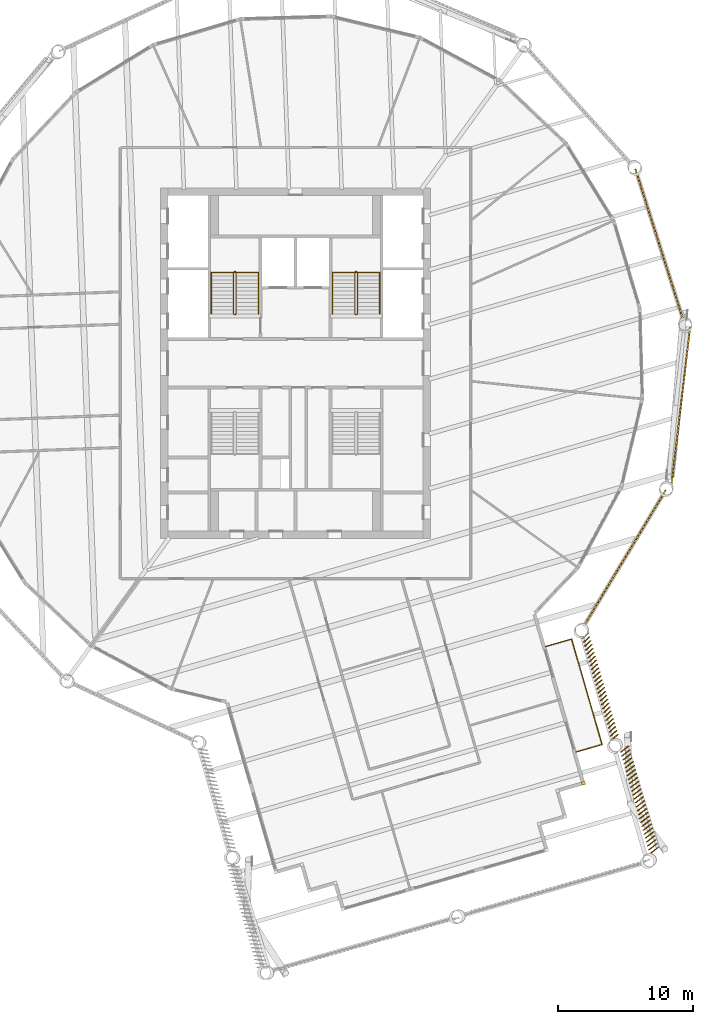
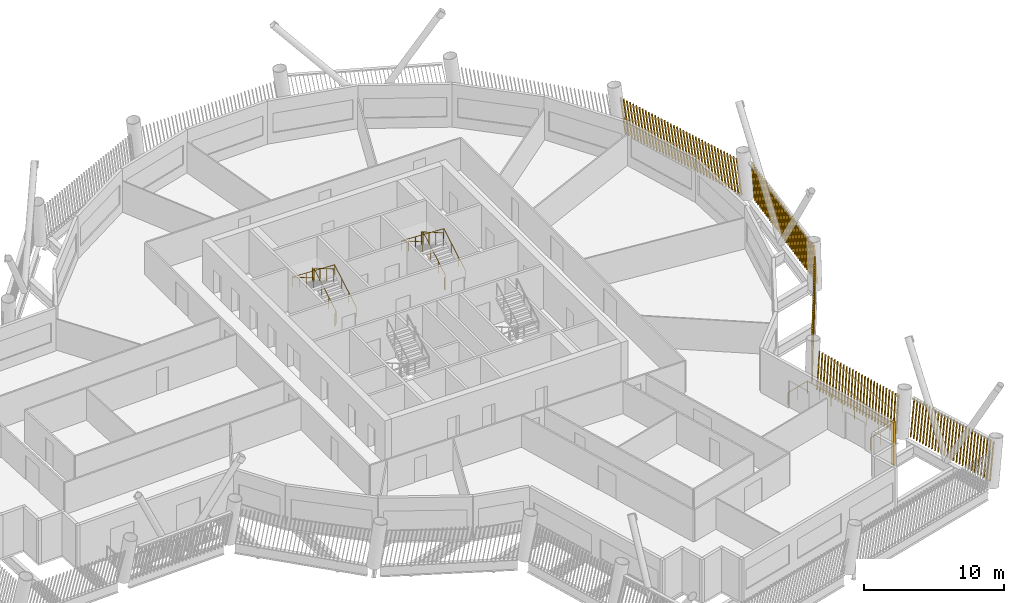
# One storey, part 18 of 20: 6 shading devices, 5 railings.
"""IFC4 building model written with IfcOpenShell, lengths in metres."""

from ifc_helpers import new_model, si_unit, direction, frame, frame_2d, origin, origin_2d, place, context, subcontext, project, spatial, rectangle, circle, composite_profile, extrude, material, type_object, element, save


model = new_model("IFC4")

# Units and contexts
model_context = context("Model", 3, precision=1e-05, world=origin(), true_north=direction((0.0, 1.0)))
body_context = subcontext(model_context, "Body", "Model", "MODEL_VIEW")
ifc_project = project(units=[si_unit("LENGTHUNIT", "METRE"), si_unit("AREAUNIT", "SQUARE_METRE"), si_unit("VOLUMEUNIT", "CUBIC_METRE"), si_unit("PLANEANGLEUNIT", "RADIAN"), si_unit("MASSUNIT", "GRAM", prefix="KILO")], contexts=[model_context])

# Site, building, storey
site_placement = place(None, origin())
site = spatial("IfcSite", under=ifc_project, at=site_placement, CompositionType="ELEMENT")
building_placement = place(site_placement, origin())
building = spatial("IfcBuilding", under=site, at=building_placement, Name="Tarsis Ring Headquarters", CompositionType="ELEMENT")
storey_placement = place(building_placement, frame((0.0, 0.0, 294.199951171875)))
storey = spatial("IfcBuildingStorey", under=building, at=storey_placement, Name="L69", CompositionType="ELEMENT", Elevation=294.199951171875)

# Railings
ifc_material_1 = material(Name="Stainless steel guard", Category="steel")
railing_type_1 = type_object("IfcRailingType", Name="Balcony balustrade with mesh infill 1100", PredefinedType="BALUSTRADE", material=ifc_material_1)
railing_1_placement = place(storey_placement, frame((20.829345703125, -28.85107421875, 0.0)))
element("IfcRailing", 1, at=railing_1_placement, inside=storey, type_object=railing_type_1, Name="Balcony balustrade L69-16", PredefinedType="BALUSTRADE", context=body_context, shape_type="SweptSolid", body=[
    extrude(circle(Radius=0.030029296875, at=origin_2d()), frame((0.0, 0.0, 1.070068359375), z_axis=(0.960667156022, 0.277702386271, 0.0), x_axis=(-0.277702386271, 0.960667156022, 0.0)), (0.0, 0.0, 1.0), 2.0),
    extrude(circle(Radius=0.030029296875, at=origin_2d()), frame((1.92138671875, 0.555419921875, 1.070068359375), z_axis=(-0.277647155779, 0.960683119914, 0.0), x_axis=(-0.960683119914, -0.277647155779, 0.0)), (0.0, 0.0, 1.0), 8.1513671875),
    extrude(circle(Radius=0.030029296875, at=origin_2d()), frame((-0.341796875, 8.38623046875, 1.070068359375), z_axis=(-0.960667156022, -0.277702386271, 0.0), x_axis=(0.277702386271, -0.960667156022, 0.0)), (0.0, 0.0, 1.0), 2.0),
    extrude(circle(Radius=0.02490234375, at=origin_2d()), origin(), (0.0, 0.0, 1.0), 1.0400390625),
    extrude(circle(Radius=0.02490234375, at=origin_2d()), frame((0.960693359375, 0.27783203125, 0.0)), (0.0, 0.0, 1.0), 1.0400390625),
    extrude(circle(Radius=0.02490234375, at=origin_2d()), frame((1.92138671875, 0.555419921875, 0.0)), (0.0, 0.0, 1.0), 1.0400390625),
    extrude(circle(Radius=0.02490234375, at=origin_2d()), frame((1.59814453125, 1.674072265625, 0.0)), (0.0, 0.0, 1.0), 1.0400390625),
    extrude(circle(Radius=0.02490234375, at=origin_2d()), frame((1.274658203125, 2.792724609375, 0.0)), (0.0, 0.0, 1.0), 1.0400390625),
    extrude(circle(Radius=0.02490234375, at=origin_2d()), frame((0.951416015625, 3.911376953125, 0.0)), (0.0, 0.0, 1.0), 1.0400390625),
    extrude(circle(Radius=0.02490234375, at=origin_2d()), frame((0.628173828125, 5.0302734375, 0.0)), (0.0, 0.0, 1.0), 1.0400390625),
    extrude(circle(Radius=0.02490234375, at=origin_2d()), frame((0.304931640625, 6.14892578125, 0.0)), (0.0, 0.0, 1.0), 1.0400390625),
    extrude(circle(Radius=0.02490234375, at=origin_2d()), frame((-0.0185546875, 7.267578125, 0.0)), (0.0, 0.0, 1.0), 1.0400390625),
    extrude(circle(Radius=0.02490234375, at=origin_2d()), frame((-0.341796875, 8.38623046875, 0.0)), (0.0, 0.0, 1.0), 1.0400390625),
    extrude(circle(Radius=0.02490234375, at=origin_2d()), frame((-1.302490234375, 8.1083984375, 0.0)), (0.0, 0.0, 1.0), 1.0400390625),
    extrude(circle(Radius=0.02490234375, at=origin_2d()), frame((-2.26318359375, 7.830810546875, 0.0)), (0.0, 0.0, 1.0), 1.0400390625),
])
ifc_material_2 = material(Name="Steel S355", Category="steel")
railing_type_2 = type_object("IfcRailingType", Name="Core stair guard 1100", PredefinedType="GUARDRAIL", material=ifc_material_2)
railing_2_placement = place(storey_placement, frame((-4.5400390625, 3.610107421875, 0.0)))
element("IfcRailing", 2, at=railing_2_placement, inside=storey, type_object=railing_type_2, Name="L69 ST1 stair guard 1", PredefinedType="GUARDRAIL", context=body_context, shape_type="SweptSolid", body=[
    extrude(circle(Radius=0.02392578125, at=origin_2d()), frame((0.0, 0.0, 1.076171875), z_axis=(1.0, 0.0, 0.0), x_axis=(0.0, 1.0, 0.0)), (0.0, 0.0, 1.0), 0.080078125),
    extrude(circle(Radius=0.02392578125, at=origin_2d()), frame((0.080078125, 0.0, 1.076171875), z_axis=(0.282336740067, 0.280959487676, 0.917250092119), x_axis=(-0.705375805398, 0.708833529934, 0.0)), (0.0, 0.0, 1.0), 0.17724609375),
    extrude(circle(Radius=0.02392578125, at=origin_2d()), frame((0.130126953125, 0.0498046875, 1.23876953125), z_axis=(0.0, 0.864920483161, 0.501908913857), x_axis=(-1.0, 0.0, 0.0)), (0.0, 0.0, 1.0), 3.56103515625),
    extrude(circle(Radius=0.02392578125, at=origin_2d()), frame((0.130126953125, 3.1298828125, 3.02587890625), z_axis=(-0.707106781187, 0.707106781187, 0.0), x_axis=(-0.707106781187, -0.707106781187, 0.0)), (0.0, 0.0, 1.0), 0.07080078125),
    extrude(circle(Radius=0.02392578125, at=origin_2d()), frame((0.080078125, 3.179931640625, 3.02587890625), z_axis=(-1.0, 0.0, 0.0), x_axis=(0.0, -1.0, 0.0)), (0.0, 0.0, 1.0), 0.080078125),
    extrude(circle(Radius=0.02392578125, at=origin_2d()), frame((0.0, 3.179931640625, 3.02587890625), z_axis=(-0.282227285176, -0.282227285176, 0.916894497205), x_axis=(0.707106781187, -0.707106781187, 0.0)), (0.0, 0.0, 1.0), 0.17724609375),
    extrude(circle(Radius=0.02392578125, at=origin_2d()), frame((-0.050048828125, 3.1298828125, 3.1884765625), z_axis=(0.0, -0.864890721111, 0.501960198159), x_axis=(1.0, 0.0, 0.0)), (0.0, 0.0, 1.0), 3.561279296875),
    extrude(circle(Radius=0.02099609375, at=origin_2d()), origin(), (0.0, 0.0, 1.0), 1.052001953125),
    extrude(circle(Radius=0.02099609375, at=origin_2d()), frame((0.080078125, 0.0, 0.0)), (0.0, 0.0, 1.0), 1.052001953125),
    extrude(circle(Radius=0.02099609375, at=origin_2d()), frame((0.130126953125, 0.0498046875, 0.16259765625)), (0.0, 0.0, 1.0), 1.052001953125),
    extrude(circle(Radius=0.02099609375, at=origin_2d()), frame((0.130126953125, 1.076416015625, 0.75830078125)), (0.0, 0.0, 1.0), 1.052001953125),
    extrude(circle(Radius=0.02099609375, at=origin_2d()), frame((0.130126953125, 2.103271484375, 1.354248046875)), (0.0, 0.0, 1.0), 1.052001953125),
    extrude(circle(Radius=0.02099609375, at=origin_2d()), frame((0.130126953125, 3.1298828125, 1.949951171875)), (0.0, 0.0, 1.0), 1.052001953125),
    extrude(circle(Radius=0.02099609375, at=origin_2d()), frame((0.080078125, 3.179931640625, 1.949951171875)), (0.0, 0.0, 1.0), 1.052001953125),
    extrude(circle(Radius=0.02099609375, at=origin_2d()), frame((0.0, 3.179931640625, 1.949951171875)), (0.0, 0.0, 1.0), 1.052001953125),
    extrude(circle(Radius=0.02099609375, at=origin_2d()), frame((-0.050048828125, 3.1298828125, 2.112548828125)), (0.0, 0.0, 1.0), 1.052001953125),
    extrude(circle(Radius=0.02099609375, at=origin_2d()), frame((-0.050048828125, 2.103271484375, 2.70849609375)), (0.0, 0.0, 1.0), 1.052001953125),
    extrude(circle(Radius=0.02099609375, at=origin_2d()), frame((-0.050048828125, 1.076416015625, 3.30419921875)), (0.0, 0.0, 1.0), 1.052001953125),
    extrude(circle(Radius=0.02099609375, at=origin_2d()), frame((-0.050048828125, 0.0498046875, 3.900146484375)), (0.0, 0.0, 1.0), 1.052001953125),
])
railing_3_placement = place(storey_placement, frame((4.4599609375, 3.610107421875, 0.0)))
element("IfcRailing", 3, at=railing_3_placement, inside=storey, type_object=railing_type_2, Name="L69 ST2 stair guard 1", PredefinedType="GUARDRAIL", context=body_context, shape_type="SweptSolid", body=[
    extrude(circle(Radius=0.02392578125, at=origin_2d()), frame((0.0, 0.0, 1.076171875), z_axis=(1.0, 0.0, 0.0), x_axis=(0.0, 1.0, 0.0)), (0.0, 0.0, 1.0), 0.080078125),
    extrude(circle(Radius=0.02392578125, at=origin_2d()), frame((0.080078125, 0.0, 1.076171875), z_axis=(0.282336740067, 0.280959487676, 0.917250092119), x_axis=(-0.705375805398, 0.708833529934, 0.0)), (0.0, 0.0, 1.0), 0.17724609375),
    extrude(circle(Radius=0.02392578125, at=origin_2d()), frame((0.130126953125, 0.0498046875, 1.23876953125), z_axis=(0.0, 0.864920483161, 0.501908913857), x_axis=(-1.0, 0.0, 0.0)), (0.0, 0.0, 1.0), 3.56103515625),
    extrude(circle(Radius=0.02392578125, at=origin_2d()), frame((0.130126953125, 3.1298828125, 3.02587890625), z_axis=(-0.707106781187, 0.707106781187, 0.0), x_axis=(-0.707106781187, -0.707106781187, 0.0)), (0.0, 0.0, 1.0), 0.07080078125),
    extrude(circle(Radius=0.02392578125, at=origin_2d()), frame((0.080078125, 3.179931640625, 3.02587890625), z_axis=(-1.0, 0.0, 0.0), x_axis=(0.0, -1.0, 0.0)), (0.0, 0.0, 1.0), 0.080078125),
    extrude(circle(Radius=0.02392578125, at=origin_2d()), frame((0.0, 3.179931640625, 3.02587890625), z_axis=(-0.282227285176, -0.282227285176, 0.916894497205), x_axis=(0.707106781187, -0.707106781187, 0.0)), (0.0, 0.0, 1.0), 0.17724609375),
    extrude(circle(Radius=0.02392578125, at=origin_2d()), frame((-0.050048828125, 3.1298828125, 3.1884765625), z_axis=(0.0, -0.864890721111, 0.501960198159), x_axis=(1.0, 0.0, 0.0)), (0.0, 0.0, 1.0), 3.561279296875),
    extrude(circle(Radius=0.02099609375, at=origin_2d()), origin(), (0.0, 0.0, 1.0), 1.052001953125),
    extrude(circle(Radius=0.02099609375, at=origin_2d()), frame((0.080078125, 0.0, 0.0)), (0.0, 0.0, 1.0), 1.052001953125),
    extrude(circle(Radius=0.02099609375, at=origin_2d()), frame((0.130126953125, 0.0498046875, 0.16259765625)), (0.0, 0.0, 1.0), 1.052001953125),
    extrude(circle(Radius=0.02099609375, at=origin_2d()), frame((0.130126953125, 1.076416015625, 0.75830078125)), (0.0, 0.0, 1.0), 1.052001953125),
    extrude(circle(Radius=0.02099609375, at=origin_2d()), frame((0.130126953125, 2.103271484375, 1.354248046875)), (0.0, 0.0, 1.0), 1.052001953125),
    extrude(circle(Radius=0.02099609375, at=origin_2d()), frame((0.130126953125, 3.1298828125, 1.949951171875)), (0.0, 0.0, 1.0), 1.052001953125),
    extrude(circle(Radius=0.02099609375, at=origin_2d()), frame((0.080078125, 3.179931640625, 1.949951171875)), (0.0, 0.0, 1.0), 1.052001953125),
    extrude(circle(Radius=0.02099609375, at=origin_2d()), frame((0.0, 3.179931640625, 1.949951171875)), (0.0, 0.0, 1.0), 1.052001953125),
    extrude(circle(Radius=0.02099609375, at=origin_2d()), frame((-0.050048828125, 3.1298828125, 2.112548828125)), (0.0, 0.0, 1.0), 1.052001953125),
    extrude(circle(Radius=0.02099609375, at=origin_2d()), frame((-0.050048828125, 2.103271484375, 2.70849609375)), (0.0, 0.0, 1.0), 1.052001953125),
    extrude(circle(Radius=0.02099609375, at=origin_2d()), frame((-0.050048828125, 1.076416015625, 3.30419921875)), (0.0, 0.0, 1.0), 1.052001953125),
    extrude(circle(Radius=0.02099609375, at=origin_2d()), frame((-0.050048828125, 0.0498046875, 3.900146484375)), (0.0, 0.0, 1.0), 1.052001953125),
])
railing_type_3 = type_object("IfcRailingType", Name="Core stair handrail 900", PredefinedType="HANDRAIL", material=ifc_material_2)
railing_4_placement = place(storey_placement, frame((-2.75, 3.659912109375, 0.16259765625)))
element("IfcRailing", 4, at=railing_4_placement, inside=storey, type_object=railing_type_3, Name="L69 ST1 stair handrail 1", PredefinedType="HANDRAIL", context=body_context, shape_type="SweptSolid", body=[
    extrude(circle(Radius=0.02392578125, at=origin_2d()), frame((0.0, 0.0, 0.8759765625), z_axis=(0.0, 0.864920483161, 0.501908913857), x_axis=(-1.0, 0.0, 0.0)), (0.0, 0.0, 1.0), 3.56103515625),
    extrude(circle(Radius=0.02392578125, at=origin_2d()), frame((0.0, 3.080078125, 2.6630859375), z_axis=(-0.998922641604, 0.0, 0.046406422943), x_axis=(0.0, -1.0, 0.0)), (0.0, 0.0, 1.0), 3.503662109375),
    extrude(circle(Radius=0.02392578125, at=origin_2d()), frame((-3.5, 3.080078125, 2.82568359375), z_axis=(0.0, -0.864890721111, 0.501960198159), x_axis=(1.0, 0.0, 0.0)), (0.0, 0.0, 1.0), 3.561279296875),
    extrude(circle(Radius=0.02099609375, at=origin_2d()), origin(), (0.0, 0.0, 1.0), 0.851806640625),
    extrude(circle(Radius=0.02099609375, at=origin_2d()), frame((0.0, 1.026611328125, 0.595703125)), (0.0, 0.0, 1.0), 0.851806640625),
    extrude(circle(Radius=0.02099609375, at=origin_2d()), frame((0.0, 2.053466796875, 1.191650390625)), (0.0, 0.0, 1.0), 0.851806640625),
    extrude(circle(Radius=0.02099609375, at=origin_2d()), frame((0.0, 3.080078125, 1.787353515625)), (0.0, 0.0, 1.0), 0.851806640625),
    extrude(circle(Radius=0.02099609375, at=origin_2d()), frame((-1.166748046875, 3.080078125, 1.841552734375)), (0.0, 0.0, 1.0), 0.851806640625),
    extrude(circle(Radius=0.02099609375, at=origin_2d()), frame((-2.333251953125, 3.080078125, 1.895751953125)), (0.0, 0.0, 1.0), 0.851806640625),
    extrude(circle(Radius=0.02099609375, at=origin_2d()), frame((-3.5, 3.080078125, 1.949951171875)), (0.0, 0.0, 1.0), 0.851806640625),
    extrude(circle(Radius=0.02099609375, at=origin_2d()), frame((-3.5, 2.053466796875, 2.5458984375)), (0.0, 0.0, 1.0), 0.851806640625),
    extrude(circle(Radius=0.02099609375, at=origin_2d()), frame((-3.5, 1.026611328125, 3.1416015625)), (0.0, 0.0, 1.0), 0.851806640625),
    extrude(circle(Radius=0.02099609375, at=origin_2d()), frame((-3.5, 0.0, 3.737548828125)), (0.0, 0.0, 1.0), 0.851806640625),
])
railing_5_placement = place(storey_placement, frame((6.25, 3.659912109375, 0.16259765625)))
element("IfcRailing", 5, at=railing_5_placement, inside=storey, type_object=railing_type_3, Name="L69 ST2 stair handrail 1", PredefinedType="HANDRAIL", context=body_context, shape_type="SweptSolid", body=[
    extrude(circle(Radius=0.02392578125, at=origin_2d()), frame((0.0, 0.0, 0.8759765625), z_axis=(0.0, 0.864920483161, 0.501908913857), x_axis=(-1.0, 0.0, 0.0)), (0.0, 0.0, 1.0), 3.56103515625),
    extrude(circle(Radius=0.02392578125, at=origin_2d()), frame((0.0, 3.080078125, 2.6630859375), z_axis=(-0.998922641604, 0.0, 0.046406422943), x_axis=(0.0, -1.0, 0.0)), (0.0, 0.0, 1.0), 3.503662109375),
    extrude(circle(Radius=0.02392578125, at=origin_2d()), frame((-3.5, 3.080078125, 2.82568359375), z_axis=(0.0, -0.864890721111, 0.501960198159), x_axis=(1.0, 0.0, 0.0)), (0.0, 0.0, 1.0), 3.561279296875),
    extrude(circle(Radius=0.02099609375, at=origin_2d()), origin(), (0.0, 0.0, 1.0), 0.851806640625),
    extrude(circle(Radius=0.02099609375, at=origin_2d()), frame((0.0, 1.026611328125, 0.595703125)), (0.0, 0.0, 1.0), 0.851806640625),
    extrude(circle(Radius=0.02099609375, at=origin_2d()), frame((0.0, 2.053466796875, 1.191650390625)), (0.0, 0.0, 1.0), 0.851806640625),
    extrude(circle(Radius=0.02099609375, at=origin_2d()), frame((0.0, 3.080078125, 1.787353515625)), (0.0, 0.0, 1.0), 0.851806640625),
    extrude(circle(Radius=0.02099609375, at=origin_2d()), frame((-1.166748046875, 3.080078125, 1.841552734375)), (0.0, 0.0, 1.0), 0.851806640625),
    extrude(circle(Radius=0.02099609375, at=origin_2d()), frame((-2.333251953125, 3.080078125, 1.895751953125)), (0.0, 0.0, 1.0), 0.851806640625),
    extrude(circle(Radius=0.02099609375, at=origin_2d()), frame((-3.5, 3.080078125, 1.949951171875)), (0.0, 0.0, 1.0), 0.851806640625),
    extrude(circle(Radius=0.02099609375, at=origin_2d()), frame((-3.5, 2.053466796875, 2.5458984375)), (0.0, 0.0, 1.0), 0.851806640625),
    extrude(circle(Radius=0.02099609375, at=origin_2d()), frame((-3.5, 1.026611328125, 3.1416015625)), (0.0, 0.0, 1.0), 0.851806640625),
    extrude(circle(Radius=0.02099609375, at=origin_2d()), frame((-3.5, 0.0, 3.737548828125)), (0.0, 0.0, 1.0), 0.851806640625),
])

# Shading devices
ifc_material_3 = material(Name="Terracotta baguette", Category="masonry")
shading_device_type_1 = type_object("IfcShadingDeviceType", Name="Terracotta baguette screen", PredefinedType="USERDEFINED", material=ifc_material_3)
shading_device_1_placement = place(storey_placement, frame((26.322998046875, -36.423583984375, 0.0), z_axis=(0.0, 0.0, 1.0), x_axis=(-0.277650766189, 0.960671033119, 0.0)))
element("IfcShadingDevice", 6, at=shading_device_1_placement, inside=storey, type_object=shading_device_type_1, Name="Baguette screen L69-05", ObjectType="Terracotta baguette screen", PredefinedType="USERDEFINED", context=body_context, shape_type="SweptSolid", body=[
    extrude(composite_profile([rectangle(XDim=0.06005859375, YDim=0.1201171875, at=frame_2d((0.030029296875, 0.0))), rectangle(XDim=0.06005859375, YDim=0.1201171875, at=frame_2d((0.33154296875, 0.0))), rectangle(XDim=0.06005859375, YDim=0.1201171875, at=frame_2d((0.63330078125, 0.0))), rectangle(XDim=0.06005859375, YDim=0.1201171875, at=frame_2d((0.934814453125, 0.0))), rectangle(XDim=0.06005859375, YDim=0.1201171875, at=frame_2d((1.236572265625, 0.0))), rectangle(XDim=0.06005859375, YDim=0.1201171875, at=frame_2d((1.5380859375, 0.0))), rectangle(XDim=0.06005859375, YDim=0.1201171875, at=frame_2d((1.83984375, 0.0))), rectangle(XDim=0.06005859375, YDim=0.1201171875, at=frame_2d((2.141357421875, 0.0))), rectangle(XDim=0.06005859375, YDim=0.1201171875, at=frame_2d((2.443115234375, 0.0))), rectangle(XDim=0.06005859375, YDim=0.1201171875, at=frame_2d((2.74462890625, 0.0))), rectangle(XDim=0.06005859375, YDim=0.1201171875, at=frame_2d((3.04638671875, 0.0))), rectangle(XDim=0.06005859375, YDim=0.1201171875, at=frame_2d((3.347900390625, 0.0))), rectangle(XDim=0.06005859375, YDim=0.1201171875, at=frame_2d((3.649658203125, 0.0))), rectangle(XDim=0.06005859375, YDim=0.1201171875, at=frame_2d((3.951171875, 0.0))), rectangle(XDim=0.06005859375, YDim=0.1201171875, at=frame_2d((4.252685546875, 0.0))), rectangle(XDim=0.06005859375, YDim=0.1201171875, at=frame_2d((4.554443359375, 0.0))), rectangle(XDim=0.06005859375, YDim=0.1201171875, at=frame_2d((4.85595703125, 0.0))), rectangle(XDim=0.06005859375, YDim=0.1201171875, at=frame_2d((5.15771484375, 0.0))), rectangle(XDim=0.06005859375, YDim=0.1201171875, at=frame_2d((5.459228515625, 0.0))), rectangle(XDim=0.06005859375, YDim=0.1201171875, at=frame_2d((5.760986328125, 0.0))), rectangle(XDim=0.06005859375, YDim=0.1201171875, at=frame_2d((6.0625, 0.0))), rectangle(XDim=0.06005859375, YDim=0.1201171875, at=frame_2d((6.3642578125, 0.0))), rectangle(XDim=0.06005859375, YDim=0.1201171875, at=frame_2d((6.665771484375, 0.0))), rectangle(XDim=0.06005859375, YDim=0.1201171875, at=frame_2d((6.967529296875, 0.0))), rectangle(XDim=0.06005859375, YDim=0.1201171875, at=frame_2d((7.26904296875, 0.0))), rectangle(XDim=0.06005859375, YDim=0.1201171875, at=frame_2d((7.57080078125, 0.0))), rectangle(XDim=0.06005859375, YDim=0.1201171875, at=frame_2d((7.872314453125, 0.0)))]), origin(), (0.08863507912, -0.218403273768, 0.971825001097), 3.0537109375),
])
shading_device_2_placement = place(storey_placement, frame((23.490966796875, -27.975341796875, 0.0), z_axis=(0.0, 0.0, 1.0), x_axis=(-0.277650766189, 0.960671033119, 0.0)))
element("IfcShadingDevice", 7, at=shading_device_2_placement, inside=storey, type_object=shading_device_type_1, Name="Baguette screen L69-06", ObjectType="Terracotta baguette screen", PredefinedType="USERDEFINED", context=body_context, shape_type="SweptSolid", body=[
    extrude(composite_profile([rectangle(XDim=0.06005859375, YDim=0.1201171875, at=frame_2d((0.030029296875, 0.0))), rectangle(XDim=0.06005859375, YDim=0.1201171875, at=frame_2d((0.33154296875, 0.0))), rectangle(XDim=0.06005859375, YDim=0.1201171875, at=frame_2d((0.63330078125, 0.0))), rectangle(XDim=0.06005859375, YDim=0.1201171875, at=frame_2d((0.934814453125, 0.0))), rectangle(XDim=0.06005859375, YDim=0.1201171875, at=frame_2d((1.236572265625, 0.0))), rectangle(XDim=0.06005859375, YDim=0.1201171875, at=frame_2d((1.5380859375, 0.0))), rectangle(XDim=0.06005859375, YDim=0.1201171875, at=frame_2d((1.83984375, 0.0))), rectangle(XDim=0.06005859375, YDim=0.1201171875, at=frame_2d((2.141357421875, 0.0))), rectangle(XDim=0.06005859375, YDim=0.1201171875, at=frame_2d((2.443115234375, 0.0))), rectangle(XDim=0.06005859375, YDim=0.1201171875, at=frame_2d((2.74462890625, 0.0))), rectangle(XDim=0.06005859375, YDim=0.1201171875, at=frame_2d((3.04638671875, 0.0))), rectangle(XDim=0.06005859375, YDim=0.1201171875, at=frame_2d((3.347900390625, 0.0))), rectangle(XDim=0.06005859375, YDim=0.1201171875, at=frame_2d((3.649658203125, 0.0))), rectangle(XDim=0.06005859375, YDim=0.1201171875, at=frame_2d((3.951171875, 0.0))), rectangle(XDim=0.06005859375, YDim=0.1201171875, at=frame_2d((4.252685546875, 0.0))), rectangle(XDim=0.06005859375, YDim=0.1201171875, at=frame_2d((4.554443359375, 0.0))), rectangle(XDim=0.06005859375, YDim=0.1201171875, at=frame_2d((4.85595703125, 0.0))), rectangle(XDim=0.06005859375, YDim=0.1201171875, at=frame_2d((5.15771484375, 0.0))), rectangle(XDim=0.06005859375, YDim=0.1201171875, at=frame_2d((5.459228515625, 0.0))), rectangle(XDim=0.06005859375, YDim=0.1201171875, at=frame_2d((5.760986328125, 0.0))), rectangle(XDim=0.06005859375, YDim=0.1201171875, at=frame_2d((6.0625, 0.0))), rectangle(XDim=0.06005859375, YDim=0.1201171875, at=frame_2d((6.3642578125, 0.0))), rectangle(XDim=0.06005859375, YDim=0.1201171875, at=frame_2d((6.665771484375, 0.0))), rectangle(XDim=0.06005859375, YDim=0.1201171875, at=frame_2d((6.967529296875, 0.0))), rectangle(XDim=0.06005859375, YDim=0.1201171875, at=frame_2d((7.26904296875, 0.0))), rectangle(XDim=0.06005859375, YDim=0.1201171875, at=frame_2d((7.57080078125, 0.0))), rectangle(XDim=0.06005859375, YDim=0.1201171875, at=frame_2d((7.872314453125, 0.0)))]), origin(), (0.086925401334, -0.169254719705, 0.981731538895), 3.02294921875),
])
shading_device_3_placement = place(storey_placement, frame((21.416259765625, -19.475341796875, 0.0), z_axis=(0.0, 0.0, 1.0), x_axis=(0.516212344822, 0.856454553347, 0.0)))
element("IfcShadingDevice", 8, at=shading_device_3_placement, inside=storey, type_object=shading_device_type_1, Name="Baguette screen L69-07", ObjectType="Terracotta baguette screen", PredefinedType="USERDEFINED", context=body_context, shape_type="SweptSolid", body=[
    extrude(composite_profile([rectangle(XDim=0.06005859375, YDim=0.1201171875, at=frame_2d((0.030029296875, 0.0))), rectangle(XDim=0.06005859375, YDim=0.1201171875, at=frame_2d((0.33251953125, 0.0))), rectangle(XDim=0.06005859375, YDim=0.1201171875, at=frame_2d((0.634765625, 0.0))), rectangle(XDim=0.06005859375, YDim=0.1201171875, at=frame_2d((0.937255859375, 0.0))), rectangle(XDim=0.06005859375, YDim=0.1201171875, at=frame_2d((1.239501953125, 0.0))), rectangle(XDim=0.06005859375, YDim=0.1201171875, at=frame_2d((1.5419921875, 0.0))), rectangle(XDim=0.06005859375, YDim=0.1201171875, at=frame_2d((1.844482421875, 0.0))), rectangle(XDim=0.06005859375, YDim=0.1201171875, at=frame_2d((2.146728515625, 0.0))), rectangle(XDim=0.06005859375, YDim=0.1201171875, at=frame_2d((2.44921875, 0.0))), rectangle(XDim=0.06005859375, YDim=0.1201171875, at=frame_2d((2.751708984375, 0.0))), rectangle(XDim=0.06005859375, YDim=0.1201171875, at=frame_2d((3.053955078125, 0.0))), rectangle(XDim=0.06005859375, YDim=0.1201171875, at=frame_2d((3.3564453125, 0.0))), rectangle(XDim=0.06005859375, YDim=0.1201171875, at=frame_2d((3.65869140625, 0.0))), rectangle(XDim=0.06005859375, YDim=0.1201171875, at=frame_2d((3.961181640625, 0.0))), rectangle(XDim=0.06005859375, YDim=0.1201171875, at=frame_2d((4.263671875, 0.0))), rectangle(XDim=0.06005859375, YDim=0.1201171875, at=frame_2d((4.56591796875, 0.0))), rectangle(XDim=0.06005859375, YDim=0.1201171875, at=frame_2d((4.868408203125, 0.0))), rectangle(XDim=0.06005859375, YDim=0.1201171875, at=frame_2d((5.1708984375, 0.0))), rectangle(XDim=0.06005859375, YDim=0.1201171875, at=frame_2d((5.47314453125, 0.0))), rectangle(XDim=0.06005859375, YDim=0.1201171875, at=frame_2d((5.775634765625, 0.0))), rectangle(XDim=0.06005859375, YDim=0.1201171875, at=frame_2d((6.077880859375, 0.0))), rectangle(XDim=0.06005859375, YDim=0.1201171875, at=frame_2d((6.38037109375, 0.0))), rectangle(XDim=0.06005859375, YDim=0.1201171875, at=frame_2d((6.682861328125, 0.0))), rectangle(XDim=0.06005859375, YDim=0.1201171875, at=frame_2d((6.985107421875, 0.0))), rectangle(XDim=0.06005859375, YDim=0.1201171875, at=frame_2d((7.28759765625, 0.0))), rectangle(XDim=0.06005859375, YDim=0.1201171875, at=frame_2d((7.590087890625, 0.0))), rectangle(XDim=0.06005859375, YDim=0.1201171875, at=frame_2d((7.892333984375, 0.0))), rectangle(XDim=0.06005859375, YDim=0.1201171875, at=frame_2d((8.19482421875, 0.0))), rectangle(XDim=0.06005859375, YDim=0.1201171875, at=frame_2d((8.4970703125, 0.0))), rectangle(XDim=0.06005859375, YDim=0.1201171875, at=frame_2d((8.799560546875, 0.0))), rectangle(XDim=0.06005859375, YDim=0.1201171875, at=frame_2d((9.10205078125, 0.0))), rectangle(XDim=0.06005859375, YDim=0.1201171875, at=frame_2d((9.404296875, 0.0))), rectangle(XDim=0.06005859375, YDim=0.1201171875, at=frame_2d((9.706787109375, 0.0))), rectangle(XDim=0.06005859375, YDim=0.1201171875, at=frame_2d((10.00927734375, 0.0))), rectangle(XDim=0.06005859375, YDim=0.1201171875, at=frame_2d((10.3115234375, 0.0))), rectangle(XDim=0.06005859375, YDim=0.1201171875, at=frame_2d((10.614013671875, 0.0))), rectangle(XDim=0.06005859375, YDim=0.1201171875, at=frame_2d((10.916259765625, 0.0))), rectangle(XDim=0.06005859375, YDim=0.1201171875, at=frame_2d((11.21875, 0.0)))]), origin(), (0.164702372796, 0.001437263603, 0.986342264464), 3.0087890625),
])
shading_device_4_placement = place(storey_placement, frame((27.912109375, -8.96044921875, 0.0), z_axis=(0.0, 0.0, 1.0), x_axis=(0.117306189773, 0.993098359233, 0.0)))
element("IfcShadingDevice", 9, at=shading_device_4_placement, inside=storey, type_object=shading_device_type_1, Name="Baguette screen L69-08", ObjectType="Terracotta baguette screen", PredefinedType="USERDEFINED", context=body_context, shape_type="SweptSolid", body=[
    extrude(composite_profile([rectangle(XDim=0.06005859375, YDim=0.1201171875, at=frame_2d((0.030029296875, 0.0))), rectangle(XDim=0.06005859375, YDim=0.1201171875, at=frame_2d((0.33251953125, 0.0))), rectangle(XDim=0.06005859375, YDim=0.1201171875, at=frame_2d((0.634765625, 0.0))), rectangle(XDim=0.06005859375, YDim=0.1201171875, at=frame_2d((0.937255859375, 0.0))), rectangle(XDim=0.06005859375, YDim=0.1201171875, at=frame_2d((1.239501953125, 0.0))), rectangle(XDim=0.06005859375, YDim=0.1201171875, at=frame_2d((1.5419921875, 0.0))), rectangle(XDim=0.06005859375, YDim=0.1201171875, at=frame_2d((1.844482421875, 0.0))), rectangle(XDim=0.06005859375, YDim=0.1201171875, at=frame_2d((2.146728515625, 0.0))), rectangle(XDim=0.06005859375, YDim=0.1201171875, at=frame_2d((2.44921875, 0.0))), rectangle(XDim=0.06005859375, YDim=0.1201171875, at=frame_2d((2.751708984375, 0.0))), rectangle(XDim=0.06005859375, YDim=0.1201171875, at=frame_2d((3.053955078125, 0.0))), rectangle(XDim=0.06005859375, YDim=0.1201171875, at=frame_2d((3.3564453125, 0.0))), rectangle(XDim=0.06005859375, YDim=0.1201171875, at=frame_2d((3.65869140625, 0.0))), rectangle(XDim=0.06005859375, YDim=0.1201171875, at=frame_2d((3.961181640625, 0.0))), rectangle(XDim=0.06005859375, YDim=0.1201171875, at=frame_2d((4.263671875, 0.0))), rectangle(XDim=0.06005859375, YDim=0.1201171875, at=frame_2d((4.56591796875, 0.0))), rectangle(XDim=0.06005859375, YDim=0.1201171875, at=frame_2d((4.868408203125, 0.0))), rectangle(XDim=0.06005859375, YDim=0.1201171875, at=frame_2d((5.1708984375, 0.0))), rectangle(XDim=0.06005859375, YDim=0.1201171875, at=frame_2d((5.47314453125, 0.0))), rectangle(XDim=0.06005859375, YDim=0.1201171875, at=frame_2d((5.775634765625, 0.0))), rectangle(XDim=0.06005859375, YDim=0.1201171875, at=frame_2d((6.077880859375, 0.0))), rectangle(XDim=0.06005859375, YDim=0.1201171875, at=frame_2d((6.38037109375, 0.0))), rectangle(XDim=0.06005859375, YDim=0.1201171875, at=frame_2d((6.682861328125, 0.0))), rectangle(XDim=0.06005859375, YDim=0.1201171875, at=frame_2d((6.985107421875, 0.0))), rectangle(XDim=0.06005859375, YDim=0.1201171875, at=frame_2d((7.28759765625, 0.0))), rectangle(XDim=0.06005859375, YDim=0.1201171875, at=frame_2d((7.590087890625, 0.0))), rectangle(XDim=0.06005859375, YDim=0.1201171875, at=frame_2d((7.892333984375, 0.0))), rectangle(XDim=0.06005859375, YDim=0.1201171875, at=frame_2d((8.19482421875, 0.0))), rectangle(XDim=0.06005859375, YDim=0.1201171875, at=frame_2d((8.4970703125, 0.0))), rectangle(XDim=0.06005859375, YDim=0.1201171875, at=frame_2d((8.799560546875, 0.0))), rectangle(XDim=0.06005859375, YDim=0.1201171875, at=frame_2d((9.10205078125, 0.0))), rectangle(XDim=0.06005859375, YDim=0.1201171875, at=frame_2d((9.404296875, 0.0))), rectangle(XDim=0.06005859375, YDim=0.1201171875, at=frame_2d((9.706787109375, 0.0))), rectangle(XDim=0.06005859375, YDim=0.1201171875, at=frame_2d((10.00927734375, 0.0))), rectangle(XDim=0.06005859375, YDim=0.1201171875, at=frame_2d((10.3115234375, 0.0))), rectangle(XDim=0.06005859375, YDim=0.1201171875, at=frame_2d((10.614013671875, 0.0))), rectangle(XDim=0.06005859375, YDim=0.1201171875, at=frame_2d((10.916259765625, 0.0))), rectangle(XDim=0.06005859375, YDim=0.1201171875, at=frame_2d((11.21875, 0.0)))]), origin(), (0.166818709189, 0.001456954953, 0.985986508806), 3.010009765625),
])
shading_device_5_placement = place(storey_placement, frame((28.7666015625, 3.22802734375, 0.0), z_axis=(0.0, 0.0, 1.0), x_axis=(-0.302463374932, 0.953163320673, 0.0)))
element("IfcShadingDevice", 10, at=shading_device_5_placement, inside=storey, type_object=shading_device_type_1, Name="Baguette screen L69-09", ObjectType="Terracotta baguette screen", PredefinedType="USERDEFINED", context=body_context, shape_type="SweptSolid", body=[
    extrude(composite_profile([rectangle(XDim=0.06005859375, YDim=0.1201171875, at=frame_2d((0.030029296875, 0.0))), rectangle(XDim=0.06005859375, YDim=0.1201171875, at=frame_2d((0.33251953125, 0.0))), rectangle(XDim=0.06005859375, YDim=0.1201171875, at=frame_2d((0.634765625, 0.0))), rectangle(XDim=0.06005859375, YDim=0.1201171875, at=frame_2d((0.937255859375, 0.0))), rectangle(XDim=0.06005859375, YDim=0.1201171875, at=frame_2d((1.239501953125, 0.0))), rectangle(XDim=0.06005859375, YDim=0.1201171875, at=frame_2d((1.5419921875, 0.0))), rectangle(XDim=0.06005859375, YDim=0.1201171875, at=frame_2d((1.844482421875, 0.0))), rectangle(XDim=0.06005859375, YDim=0.1201171875, at=frame_2d((2.146728515625, 0.0))), rectangle(XDim=0.06005859375, YDim=0.1201171875, at=frame_2d((2.44921875, 0.0))), rectangle(XDim=0.06005859375, YDim=0.1201171875, at=frame_2d((2.751708984375, 0.0))), rectangle(XDim=0.06005859375, YDim=0.1201171875, at=frame_2d((3.053955078125, 0.0))), rectangle(XDim=0.06005859375, YDim=0.1201171875, at=frame_2d((3.3564453125, 0.0))), rectangle(XDim=0.06005859375, YDim=0.1201171875, at=frame_2d((3.65869140625, 0.0))), rectangle(XDim=0.06005859375, YDim=0.1201171875, at=frame_2d((3.961181640625, 0.0))), rectangle(XDim=0.06005859375, YDim=0.1201171875, at=frame_2d((4.263671875, 0.0))), rectangle(XDim=0.06005859375, YDim=0.1201171875, at=frame_2d((4.56591796875, 0.0))), rectangle(XDim=0.06005859375, YDim=0.1201171875, at=frame_2d((4.868408203125, 0.0))), rectangle(XDim=0.06005859375, YDim=0.1201171875, at=frame_2d((5.1708984375, 0.0))), rectangle(XDim=0.06005859375, YDim=0.1201171875, at=frame_2d((5.47314453125, 0.0))), rectangle(XDim=0.06005859375, YDim=0.1201171875, at=frame_2d((5.775634765625, 0.0))), rectangle(XDim=0.06005859375, YDim=0.1201171875, at=frame_2d((6.077880859375, 0.0))), rectangle(XDim=0.06005859375, YDim=0.1201171875, at=frame_2d((6.38037109375, 0.0))), rectangle(XDim=0.06005859375, YDim=0.1201171875, at=frame_2d((6.682861328125, 0.0))), rectangle(XDim=0.06005859375, YDim=0.1201171875, at=frame_2d((6.985107421875, 0.0))), rectangle(XDim=0.06005859375, YDim=0.1201171875, at=frame_2d((7.28759765625, 0.0))), rectangle(XDim=0.06005859375, YDim=0.1201171875, at=frame_2d((7.590087890625, 0.0))), rectangle(XDim=0.06005859375, YDim=0.1201171875, at=frame_2d((7.892333984375, 0.0))), rectangle(XDim=0.06005859375, YDim=0.1201171875, at=frame_2d((8.19482421875, 0.0))), rectangle(XDim=0.06005859375, YDim=0.1201171875, at=frame_2d((8.4970703125, 0.0))), rectangle(XDim=0.06005859375, YDim=0.1201171875, at=frame_2d((8.799560546875, 0.0))), rectangle(XDim=0.06005859375, YDim=0.1201171875, at=frame_2d((9.10205078125, 0.0))), rectangle(XDim=0.06005859375, YDim=0.1201171875, at=frame_2d((9.404296875, 0.0))), rectangle(XDim=0.06005859375, YDim=0.1201171875, at=frame_2d((9.706787109375, 0.0))), rectangle(XDim=0.06005859375, YDim=0.1201171875, at=frame_2d((10.00927734375, 0.0))), rectangle(XDim=0.06005859375, YDim=0.1201171875, at=frame_2d((10.3115234375, 0.0))), rectangle(XDim=0.06005859375, YDim=0.1201171875, at=frame_2d((10.614013671875, 0.0))), rectangle(XDim=0.06005859375, YDim=0.1201171875, at=frame_2d((10.916259765625, 0.0))), rectangle(XDim=0.06005859375, YDim=0.1201171875, at=frame_2d((11.21875, 0.0)))]), origin(), (0.16470369042, 0.001439142747, 0.986342041703), 3.0087890625),
])
shading_device_type_2 = type_object("IfcShadingDeviceType", Name="Terracotta corner baguette 250x250", PredefinedType="USERDEFINED", material=ifc_material_3)
shading_device_6_placement = place(storey_placement, frame((21.368896484375, -31.16748046875, 0.0), z_axis=(0.0, 0.0, 1.0), x_axis=(0.960682313934, 0.277649944525, 0.0)))
element("IfcShadingDevice", 11, at=shading_device_6_placement, inside=storey, type_object=shading_device_type_2, Name="Corner baguette L69-16", ObjectType="Terracotta corner baguette", PredefinedType="USERDEFINED", context=body_context, shape_type="SweptSolid", body=[
    extrude(rectangle(XDim=0.25, YDim=0.25, at=origin_2d()), origin(), (0.0, 0.0, 1.0), 3.739990234375),
])

save(model, "model.ifc")
